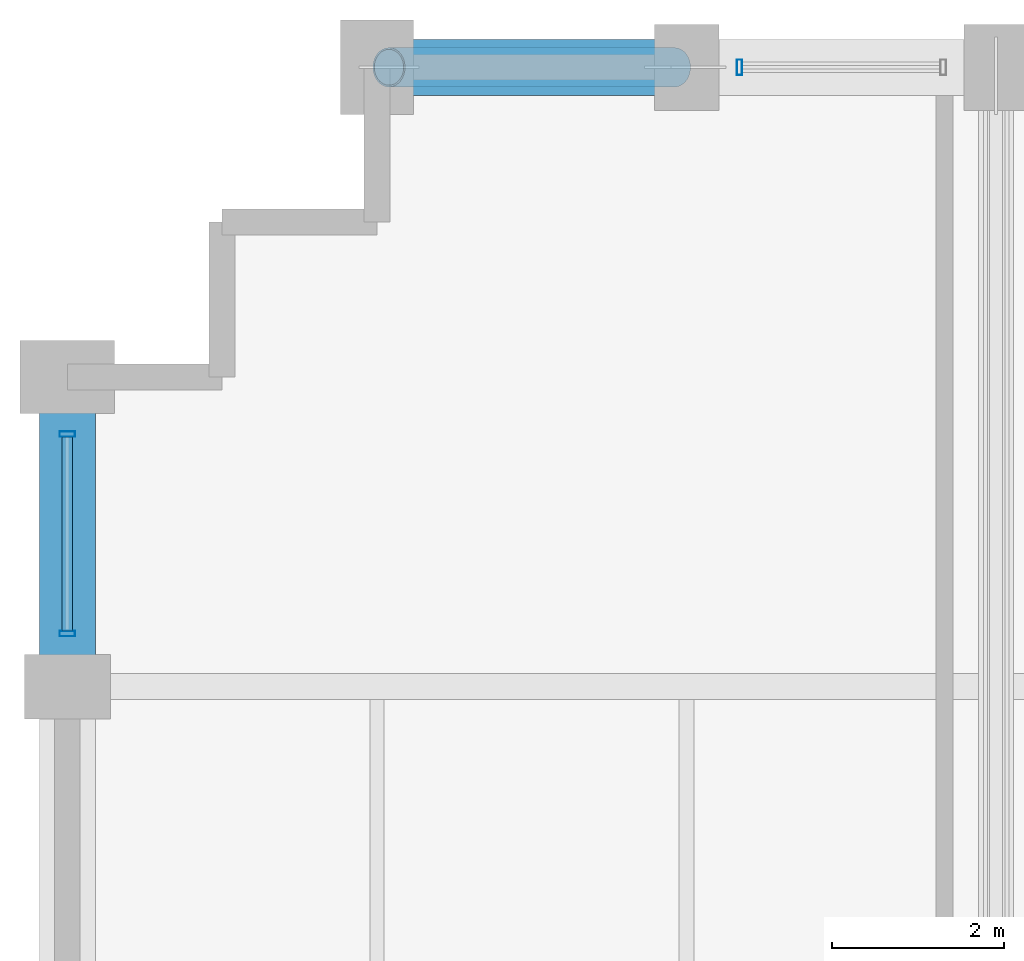
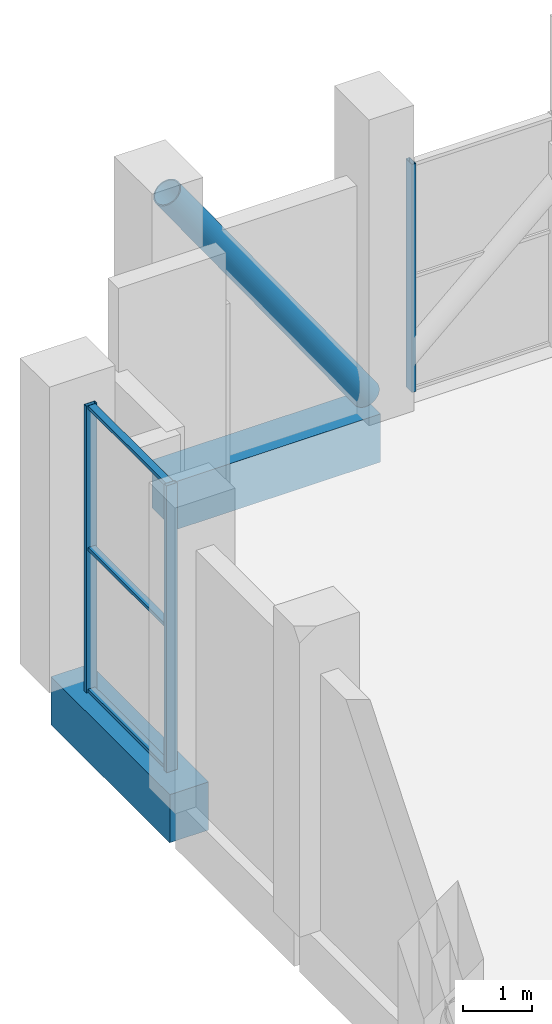
# One storey, part 11 of 19: 7 members, 2 beams, 2 elements without a shape of their own.
"""IFC4 building model written with IfcOpenShell, lengths in metres."""

import ifcopenshell
import ifcopenshell.guid

model = None  # the IFC model being written
_history = None  # IfcOwnerHistory: only IFC2X3 demands one
_inside = {}  # id of a spatial element -> (the spatial element, [elements in it])
_under = {}  # id of a project, library or spatial element -> (it, [spatial elements below it])
_declared = {}  # id of a project -> (the project, [libraries it declares])
_typed = {}  # id of a type object -> (the type object, [elements of that type])
_made_of = {}  # id of a material, layer set ... -> (it, [elements and type objects made of it])


def new_model(schema):
    """Start an empty IFC model of exactly this schema.

    Asked for "IFC4X3", IfcOpenShell would pick the latest addendum, in which some entities
    have other attributes; the version numbers below select the first issue.
    IFC2X3 requires an IfcOwnerHistory on every rooted entity: one is made here for all.
    """
    global model, _history
    if schema == "IFC4X3":
        model = ifcopenshell.file(schema_version=(4, 3, 0, 0))
    else:
        model = ifcopenshell.file(schema=schema)
    _inside.clear()
    _under.clear()
    _declared.clear()
    _typed.clear()
    _made_of.clear()
    _history = None
    if model.schema == "IFC2X3":
        org = make("IfcOrganization", Name="unknown")
        user = make(
            "IfcPersonAndOrganization",
            ThePerson=make("IfcPerson", FamilyName="unknown"),
            TheOrganization=org,
        )
        app = make(
            "IfcApplication",
            ApplicationDeveloper=org,
            Version="unknown",
            ApplicationFullName="unknown",
            ApplicationIdentifier="unknown",
        )
        _history = make(
            "IfcOwnerHistory",
            OwningUser=user,
            OwningApplication=app,
            ChangeAction="ADDED",
            CreationDate=0,
        )
    return model


def make(cls, **values):
    """One entity of the class cls with the attributes given. An attribute that is None is left unset."""
    return model.create_entity(
        cls, **{name: value for name, value in values.items() if value is not None}
    )


def rooted(cls, **values):
    """An entity with a GlobalId (a new one), such as an element, a storey or a relation."""
    return make(cls, GlobalId=ifcopenshell.guid.new(), OwnerHistory=_history, **values)


def si_unit(unit_type, name, prefix=None):
    """IfcSIUnit, for example si_unit("LENGTHUNIT", "METRE", prefix="MILLI")."""
    return make("IfcSIUnit", UnitType=unit_type, Prefix=prefix, Name=name)


def assignment(units):
    """IfcUnitAssignment: the units of a project."""
    return None if units is None else make("IfcUnitAssignment", Units=units)


def point(xyz):
    """IfcCartesianPoint."""
    return None if xyz is None else make("IfcCartesianPoint", Coordinates=xyz)


def direction(xyz):
    """IfcDirection."""
    return None if xyz is None else make("IfcDirection", DirectionRatios=xyz)


def frame(location, z_axis=None, x_axis=None):
    """IfcAxis2Placement3D, a coordinate frame: its origin and axes. An axis left out is left unset."""
    return make(
        "IfcAxis2Placement3D",
        Location=point(location),
        Axis=direction(z_axis),
        RefDirection=direction(x_axis),
    )


def frame_2d(location, x_axis=None):
    """IfcAxis2Placement2D, a coordinate frame in the plane: its origin and x axis."""
    return make(
        "IfcAxis2Placement2D", Location=point(location), RefDirection=direction(x_axis)
    )


def origin():
    """The frame at (0, 0, 0) with its axes left unset."""
    return frame((0.0, 0.0, 0.0))


def origin_2d():
    """The frame at (0, 0) in the plane with its x axis left unset."""
    return frame_2d((0.0, 0.0))


def place(relative_to, where):
    """IfcLocalPlacement: puts the frame where relative to a parent placement (None: the world)."""
    return make(
        "IfcLocalPlacement", PlacementRelTo=relative_to, RelativePlacement=where
    )


def context(
    kind, dimensions, precision=None, world=None, true_north=None, identifier=None
):
    """IfcGeometricRepresentationContext, for example the 3D "Model" context."""
    return make(
        "IfcGeometricRepresentationContext",
        ContextIdentifier=identifier,
        ContextType=kind,
        CoordinateSpaceDimension=dimensions,
        Precision=precision,
        WorldCoordinateSystem=world,
        TrueNorth=true_north,
    )


def subcontext(parent, identifier, kind, view, scale=None):
    """IfcGeometricRepresentationSubContext, for example "Body" below "Model"."""
    return make(
        "IfcGeometricRepresentationSubContext",
        ContextIdentifier=identifier,
        ContextType=kind,
        ParentContext=parent,
        TargetScale=scale,
        TargetView=view,
    )


def project(units=None, contexts=None):
    """IfcProject with its units and contexts."""
    return rooted(
        "IfcProject",
        Name="project",
        RepresentationContexts=contexts,
        UnitsInContext=assignment(units),
    )


def spatial(cls, under=None, at=None, **own):
    """A site, building, storey or space (cls), placed at a placement, below another one or the project."""
    s = rooted(cls, ObjectPlacement=at, **own)
    if under is not None:
        _under.setdefault(under.id(), (under, []))[1].append(s)
    return s


def profile(cls, at=None, kind="AREA", **sizes):
    """A parametric profile (cls). Its sizes go by their IFC names, for example OverallWidth=200.0."""
    return make(cls, ProfileType=kind, Position=at, **sizes)


def rectangle(**sizes):
    """IfcRectangleProfileDef."""
    return profile("IfcRectangleProfileDef", **sizes)


def hollow_rectangle(**sizes):
    """IfcRectangleHollowProfileDef."""
    return profile("IfcRectangleHollowProfileDef", **sizes)


def hollow_circle(**sizes):
    """IfcCircleHollowProfileDef."""
    return profile("IfcCircleHollowProfileDef", **sizes)


def extrude(swept, where, along, depth):
    """IfcExtrudedAreaSolid: the profile swept, set in the frame where, extruded along a direction by depth."""
    return make(
        "IfcExtrudedAreaSolid",
        SweptArea=swept,
        Position=where,
        ExtrudedDirection=direction(along),
        Depth=depth,
    )


def shape(context_of_items, identifier, shape_type, items):
    """IfcShapeRepresentation: the items that make up one representation, for example the "Body"."""
    return make(
        "IfcShapeRepresentation",
        ContextOfItems=context_of_items,
        RepresentationIdentifier=identifier,
        RepresentationType=shape_type,
        Items=items,
    )


def material(Name=None, Category=None):
    """IfcMaterial."""
    return make("IfcMaterial", Name=Name, Category=Category)


def layer(
    of_material, thickness, ventilated=None, Name=None, Category=None, Priority=None
):
    """IfcMaterialLayer: one layer of a wall or slab, of a material (None: an air gap)."""
    return make(
        "IfcMaterialLayer",
        Material=of_material,
        LayerThickness=thickness,
        IsVentilated=ventilated,
        Name=Name,
        Category=Category,
        Priority=Priority,
    )


def layer_set(layers, Name=None):
    """IfcMaterialLayerSet."""
    return make("IfcMaterialLayerSet", MaterialLayers=layers, LayerSetName=Name)


def material_profile(
    of_material, cross_section, Name=None, Category=None, Priority=None
):
    """IfcMaterialProfile: a cross section and its material."""
    return make(
        "IfcMaterialProfile",
        Name=Name,
        Material=of_material,
        Profile=cross_section,
        Priority=Priority,
        Category=Category,
    )


def profile_set(profiles, Name=None, composite=None):
    """IfcMaterialProfileSet."""
    return make(
        "IfcMaterialProfileSet",
        Name=Name,
        MaterialProfiles=profiles,
        CompositeProfile=composite,
    )


def made_of(thing, what):
    """Note that an element or type object is made of a material, layer set ...; save() writes the relation."""
    if what is not None:
        _made_of.setdefault(what.id(), (what, []))[1].append(thing)
    return thing


def type_object(cls, material=None, **own):
    """A type object (cls), such as IfcWallType, which elements share."""
    return made_of(rooted(cls, **own), material)


def element(
    cls,
    number,
    at=None,
    inside=None,
    cuts=None,
    type_object=None,
    material=None,
    context=None,
    identifier="Body",
    shape_type=None,
    held_by="IfcProductDefinitionShape",
    body=None,
    shapes=None,
    **own,
):
    """One element of the class cls, such as IfcWall. Its Tag is "e" and its number.

    at: its placement. inside: the storey or other place that contains it. cuts: it is an
    opening in that element (IfcRelVoidsElement). A single representation is given by context,
    identifier, shape_type and body (its items); several are given by shapes. held_by: the class
    of the entity that holds the representations. save() writes the other relations.
    """
    e = rooted(cls, Tag="e%d" % number, ObjectPlacement=at, **own)
    if body is not None:
        shapes = [shape(context, identifier, shape_type, body)]
    if shapes is not None:
        e.Representation = make(held_by, Representations=shapes)
    if inside is not None:
        _inside.setdefault(inside.id(), (inside, []))[1].append(e)
    if cuts is not None:
        rooted(
            "IfcRelVoidsElement", RelatingBuildingElement=cuts, RelatedOpeningElement=e
        )
    if type_object is not None:
        _typed.setdefault(type_object.id(), (type_object, []))[1].append(e)
    return made_of(e, material)


def aggregate(whole, parts):
    """IfcRelAggregates: a whole, such as a stair, and the parts it consists of."""
    return rooted("IfcRelAggregates", RelatingObject=whole, RelatedObjects=parts)


def save(model, path):
    """Write the relations noted so far, then the file.

    IfcRelAggregates (storeys below a building ...), IfcRelContainedInSpatialStructure (elements
    in a storey), IfcRelDefinesByType, IfcRelAssociatesMaterial and IfcRelDeclares: one each for
    every whole, place, type object, material and project.
    """
    for whole, parts in _under.values():
        aggregate(whole, parts)
    for where, things in _inside.values():
        rooted(
            "IfcRelContainedInSpatialStructure",
            RelatedElements=things,
            RelatingStructure=where,
        )
    for kind, things in _typed.values():
        rooted("IfcRelDefinesByType", RelatedObjects=things, RelatingType=kind)
    for what, things in _made_of.values():
        rooted("IfcRelAssociatesMaterial", RelatedObjects=things, RelatingMaterial=what)
    for by, libraries in _declared.values():
        rooted("IfcRelDeclares", RelatingContext=by, RelatedDefinitions=libraries)
    model.write(path)


model = new_model("IFC4")

# Units and contexts
model_context = context("Model", 3, precision=1e-05, world=origin(), true_north=direction((0.0, 1.0)))
body_context = subcontext(model_context, "Body", "Model", "MODEL_VIEW")
ifc_project = project(units=[si_unit("LENGTHUNIT", "METRE"), si_unit("AREAUNIT", "SQUARE_METRE"), si_unit("VOLUMEUNIT", "CUBIC_METRE"), si_unit("PLANEANGLEUNIT", "RADIAN"), si_unit("MASSUNIT", "GRAM", prefix="KILO")], contexts=[model_context])

# Site, building, storey
site_placement = place(None, origin())
site = spatial("IfcSite", under=ifc_project, at=site_placement, CompositionType="ELEMENT")
building_placement = place(site_placement, origin())
building = spatial("IfcBuilding", under=site, at=building_placement, Name="Solnavia Interchange Tower", CompositionType="ELEMENT")
storey_placement = place(building_placement, frame((0.0, 0.0, 169.39990234375)))
storey = spatial("IfcBuildingStorey", under=building, at=storey_placement, Name="L42", CompositionType="ELEMENT", Elevation=169.39990234375)

# Beams
ifc_material_1 = material(Name="Concrete C50/60", Category="concrete")
ifc_material_profile_1 = material_profile(ifc_material_1, rectangle(XDim=0.64990234375, YDim=0.85009765625, at=origin_2d()), Name="RC 650x850")
ifc_profile_set_1 = profile_set([ifc_material_profile_1], Name="Concrete C50/60")
beam_type = type_object("IfcBeamType", Name="Beam-Spandrel-RC650x850", PredefinedType="SPANDREL", material=ifc_profile_set_1)
beam_1_placement = place(storey_placement, frame((14.320068359375, 43.199951171875, -0.4248046875), z_axis=(-1.0, 0.0, 0.0), x_axis=(0.0, -1.0, 0.0)))
element("IfcBeam", 1, at=beam_1_placement, inside=storey, type_object=beam_type, Name="SPB-L42-31 Framed-tube perimeter spandrel beam", PredefinedType="SPANDREL", context=body_context, shape_type="SweptSolid", body=[
    extrude(rectangle(XDim=0.64990234375, YDim=0.85009765625, at=origin_2d()), origin(), (0.0, 0.0, 1.0), 3.440185546875),
])
beam_2_placement = place(storey_placement, frame((7.199951171875, 39.52001953125, -0.4248046875), z_axis=(0.0, -1.0, 0.0), x_axis=(1.0, 0.0, 0.0)))
element("IfcBeam", 2, at=beam_2_placement, inside=storey, type_object=beam_type, Name="SPB-L42-32 Framed-tube perimeter spandrel beam", PredefinedType="SPANDREL", context=body_context, shape_type="SweptSolid", body=[
    extrude(rectangle(XDim=0.64990234375, YDim=0.85009765625, at=origin_2d()), origin(), (0.0, 0.0, 1.0), 3.43994140625),
])

# Member
ifc_material_2 = material(Name="Steel S460", Category="steel")
ifc_material_profile_2 = material_profile(ifc_material_2, hollow_circle(Radius=0.228515625, WallThickness=0.02001953125, at=origin_2d()), Name="CHS 457x20")
ifc_profile_set_2 = profile_set([ifc_material_profile_2], Name="Steel S460")
member_type_1 = type_object("IfcMemberType", Name="Brace-Perim-CHS457", PredefinedType="BRACE", material=ifc_profile_set_2)
member_1_placement = place(storey_placement, frame((14.260009765625, 43.199951171875, 0.18017578125), z_axis=(-0.575332007597, 0.0, 0.817919972268), x_axis=(0.0, -1.0, 0.0)))
element("IfcMember", 3, at=member_1_placement, inside=storey, type_object=member_type_1, Name="BRC-L42-03 Perimeter tube diagonal brace", PredefinedType="BRACE", context=body_context, shape_type="SweptSolid", body=[
    extrude(hollow_circle(Radius=0.228515625, WallThickness=0.02001953125, at=origin_2d()), origin(), (0.0, 0.0, 1.0), 5.770751953125),
])

# Curtain wall, member
ifc_material_3 = material(Name="Aluminium Alloy 6063-T6", Category="aluminium")
ifc_layer = layer(ifc_material_3, 0.199951171875)
ifc_layer_set = layer_set([ifc_layer], Name="Aluminium Alloy 6063-T6")
curtain_wall_type = type_object("IfcCurtainWallType", Name="CurtainWall-Louvre-CTW5", PredefinedType="NOTDEFINED", material=ifc_layer_set)
curtain_wall_1_placement = place(storey_placement, origin())
curtain_wall_1 = element("IfcCurtainWall", 4, at=curtain_wall_1_placement, inside=storey, type_object=curtain_wall_type, Name="CTW-L42-L36 CTW-5 curtain wall", PredefinedType="NOTDEFINED")
ifc_material_profile_3 = material_profile(ifc_material_3, hollow_rectangle(XDim=0.06494140625, YDim=0.179931640625, WallThickness=0.00439453125, at=origin_2d()), Name="ALU 180x65x4.5")
ifc_profile_set_3 = profile_set([ifc_material_profile_3], Name="Aluminium Alloy 6063-T6")
member_type_2 = type_object("IfcMemberType", Name="CW-Mullion-CWM-5", PredefinedType="MULLION", material=ifc_profile_set_3)
member_2_placement = place(storey_placement, frame((15.014892578125, 43.199951171875, 0.0), z_axis=(0.0, 0.0, 1.0), x_axis=(-1.0, 0.0, 0.0)))
member_2 = element("IfcMember", 5, at=member_2_placement, type_object=member_type_2, Name="CTW-5 mullion 2", PredefinedType="MULLION", context=body_context, shape_type="SweptSolid", body=[
    extrude(hollow_rectangle(XDim=0.06494140625, YDim=0.179931640625, WallThickness=0.00439453125, at=origin_2d()), origin(), (0.0, 0.0, 1.0), 4.030029296875),
])
aggregate(curtain_wall_1, [member_2])

# Curtain wall, members
curtain_wall_2_placement = place(storey_placement, origin())
curtain_wall_2 = element("IfcCurtainWall", 6, at=curtain_wall_2_placement, inside=storey, type_object=curtain_wall_type, Name="CTW-L42-L42 CTW-5 curtain wall", PredefinedType="NOTDEFINED")
member_3_placement = place(storey_placement, frame((7.199951171875, 38.93505859375, 0.0), z_axis=(0.0, 0.0, 1.0), x_axis=(0.0, -1.0, 0.0)))
member_3 = element("IfcMember", 7, at=member_3_placement, type_object=member_type_2, Name="CTW-5 mullion 1", PredefinedType="MULLION", context=body_context, shape_type="SweptSolid", body=[
    extrude(hollow_rectangle(XDim=0.06494140625, YDim=0.179931640625, WallThickness=0.00439453125, at=origin_2d()), origin(), (0.0, 0.0, 1.0), 5.065185546875),
])
member_4_placement = place(storey_placement, frame((7.199951171875, 36.614990234375, 0.0), z_axis=(0.0, 0.0, 1.0), x_axis=(0.0, -1.0, 0.0)))
member_4 = element("IfcMember", 8, at=member_4_placement, type_object=member_type_2, Name="CTW-5 mullion 2", PredefinedType="MULLION", context=body_context, shape_type="SweptSolid", body=[
    extrude(hollow_rectangle(XDim=0.06494140625, YDim=0.179931640625, WallThickness=0.00439453125, at=origin_2d()), origin(), (0.0, 0.0, 1.0), 5.065185546875),
])
ifc_material_profile_4 = material_profile(ifc_material_3, hollow_rectangle(XDim=0.06005859375, YDim=0.1201171875, WallThickness=0.00390625, at=origin_2d()), Name="ALU 120x60x4")
ifc_profile_set_4 = profile_set([ifc_material_profile_4], Name="Aluminium Alloy 6063-T6")
member_type_3 = type_object("IfcMemberType", Name="CW-Transom-CWT-5", PredefinedType="USERDEFINED", material=ifc_profile_set_4)
member_5_placement = place(storey_placement, frame((7.199951171875, 38.902587890625, 0.030029296875), z_axis=(0.0, -1.0, 0.0), x_axis=(0.0, 0.0, 1.0)))
member_5 = element("IfcMember", 9, at=member_5_placement, type_object=member_type_3, Name="CTW-5 transom 1.1", ObjectType="TRANSOM", PredefinedType="USERDEFINED", context=body_context, shape_type="SweptSolid", body=[
    extrude(hollow_rectangle(XDim=0.06005859375, YDim=0.1201171875, WallThickness=0.00390625, at=origin_2d()), origin(), (0.0, 0.0, 1.0), 2.255126953125),
])
member_6_placement = place(storey_placement, frame((7.199951171875, 38.902587890625, 2.533203125), z_axis=(0.0, -1.0, 0.0), x_axis=(0.0, 0.0, 1.0)))
member_6 = element("IfcMember", 10, at=member_6_placement, type_object=member_type_3, Name="CTW-5 transom 1.2", ObjectType="TRANSOM", PredefinedType="USERDEFINED", context=body_context, shape_type="SweptSolid", body=[
    extrude(hollow_rectangle(XDim=0.06005859375, YDim=0.1201171875, WallThickness=0.00390625, at=origin_2d()), origin(), (0.0, 0.0, 1.0), 2.255126953125),
])
member_7_placement = place(storey_placement, frame((7.199951171875, 38.902587890625, 5.03515625), z_axis=(0.0, -1.0, 0.0), x_axis=(0.0, 0.0, 1.0)))
member_7 = element("IfcMember", 11, at=member_7_placement, type_object=member_type_3, Name="CTW-5 transom 1.3", ObjectType="TRANSOM", PredefinedType="USERDEFINED", context=body_context, shape_type="SweptSolid", body=[
    extrude(hollow_rectangle(XDim=0.06005859375, YDim=0.1201171875, WallThickness=0.00390625, at=origin_2d()), origin(), (0.0, 0.0, 1.0), 2.255126953125),
])
aggregate(curtain_wall_2, [member_3, member_4, member_5, member_6, member_7])

save(model, "model.ifc")
